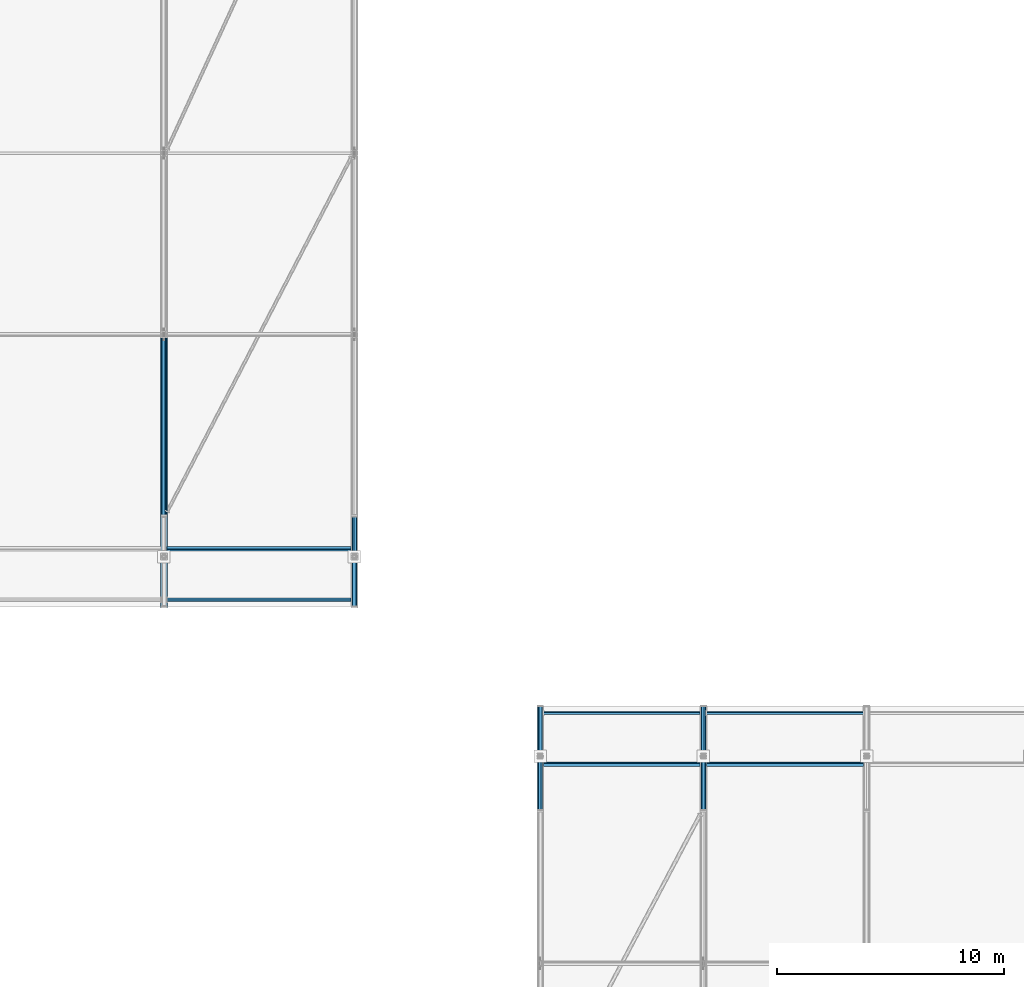
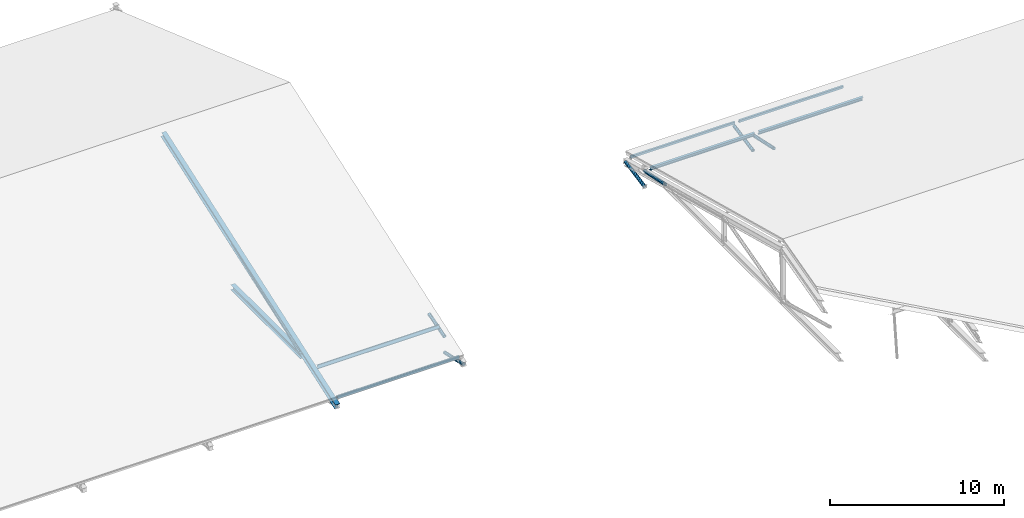
# One storey, part 6 of 57: 14 members, 1 beam.
"""IFC4 building model written with IfcOpenShell, lengths in metres."""

from ifc_helpers import new_model, si_unit, direction, frame, origin, origin_2d, place, context, subcontext, project, spatial, hollow_rectangle, hollow_circle, i_section, extrude, material, material_profile, profile_set, type_object, element, save


model = new_model("IFC4")

# Units and contexts
model_context = context("Model", 3, precision=1e-05, world=origin(), true_north=direction((0.0, 1.0)))
body_context = subcontext(model_context, "Body", "Model", "MODEL_VIEW")
ifc_project = project(units=[si_unit("LENGTHUNIT", "METRE"), si_unit("AREAUNIT", "SQUARE_METRE"), si_unit("VOLUMEUNIT", "CUBIC_METRE"), si_unit("PLANEANGLEUNIT", "RADIAN"), si_unit("MASSUNIT", "GRAM", prefix="KILO")], contexts=[model_context])

# Site, building, storey
site_placement = place(None, origin())
site = spatial("IfcSite", under=ifc_project, at=site_placement, CompositionType="ELEMENT")
building_placement = place(site_placement, origin())
building = spatial("IfcBuilding", under=site, at=building_placement, Name="Kelarvand Opera House", CompositionType="ELEMENT")
storey_placement = place(building_placement, frame((0.0, 0.0, 33.60009765625)))
storey = spatial("IfcBuildingStorey", under=building, at=storey_placement, Name="Roof", CompositionType="ELEMENT", Elevation=33.60009765625)

# Members
ifc_material = material(Name="Steel S355", Category="steel")
ifc_material_profile_1 = material_profile(ifc_material, hollow_circle(Radius=0.109619140625, WallThickness=0.010009765625, at=origin_2d()), Name="CHS 219.1x10.0", Category="steel")
ifc_profile_set_1 = profile_set([ifc_material_profile_1], Name="Steel S355")
member_type_1 = type_object("IfcMemberType", Name="Structural Brace CHS 219.1x10.0 BR-CHS219", PredefinedType="BRACE", material=ifc_profile_set_1)
member_1_placement = place(storey_placement, frame((59.199951171875, 78.39990234375, -1.10009765625), z_axis=(0.0, 0.981866297583, 0.189574717909), x_axis=(-1.0, 0.0, 0.0)))
element("IfcMember", 1, at=member_1_placement, inside=storey, type_object=member_type_1, Name="V2 Roof Truss 1 Eave Knee Brace N", PredefinedType="BRACE", context=body_context, shape_type="SweptSolid", body=[
    extrude(hollow_circle(Radius=0.109619140625, WallThickness=0.010009765625, at=origin_2d()), origin(), (0.0, 0.0, 1.0), 2.24072265625),
])
member_2_placement = place(storey_placement, frame((59.199951171875, 78.39990234375, 0.0), z_axis=(0.0, -0.977319710639, 0.21176917433), x_axis=(1.0, 0.0, 0.0)))
element("IfcMember", 2, at=member_2_placement, inside=storey, type_object=member_type_1, Name="V2 Roof Truss 1 Support Tie N", PredefinedType="BRACE", context=body_context, shape_type="SweptSolid", body=[
    extrude(hollow_circle(Radius=0.109619140625, WallThickness=0.010009765625, at=origin_2d()), origin(), (0.0, 0.0, 1.0), 2.45556640625),
])
member_3_placement = place(storey_placement, frame((66.39990234375, 78.39990234375, -1.10009765625), z_axis=(0.0, 0.981866297583, 0.189574717909), x_axis=(-1.0, 0.0, 0.0)))
element("IfcMember", 3, at=member_3_placement, inside=storey, type_object=member_type_1, Name="V2 Roof Truss 2 Eave Knee Brace N", PredefinedType="BRACE", context=body_context, shape_type="SweptSolid", body=[
    extrude(hollow_circle(Radius=0.109619140625, WallThickness=0.010009765625, at=origin_2d()), origin(), (0.0, 0.0, 1.0), 2.24072265625),
])
member_4_placement = place(storey_placement, frame((66.39990234375, 78.39990234375, 0.0), z_axis=(0.0, -0.977319710639, 0.21176917433), x_axis=(1.0, 0.0, 0.0)))
element("IfcMember", 4, at=member_4_placement, inside=storey, type_object=member_type_1, Name="V2 Roof Truss 2 Support Tie N", PredefinedType="BRACE", context=body_context, shape_type="SweptSolid", body=[
    extrude(hollow_circle(Radius=0.109619140625, WallThickness=0.010009765625, at=origin_2d()), origin(), (0.0, 0.0, 1.0), 2.45556640625),
])
member_5_placement = place(storey_placement, frame((42.60009765625, 89.0, -13.580078125), z_axis=(0.0, 0.933336796692, 0.3590019832), x_axis=(-1.0, 0.0, 0.0)))
element("IfcMember", 5, at=member_5_placement, inside=storey, type_object=member_type_1, Name="V3 Roof Truss 5 Web Diagonal 1", PredefinedType="BRACE", context=body_context, shape_type="SweptSolid", body=[
    extrude(hollow_circle(Radius=0.109619140625, WallThickness=0.010009765625, at=origin_2d()), origin(), (0.0, 0.0, 1.0), 8.5712890625),
])
member_6_placement = place(storey_placement, frame((51.0, 87.199951171875, -15.2001953125), z_axis=(0.0, -0.975388459832, 0.220493429439), x_axis=(1.0, 0.0, 0.0)))
element("IfcMember", 6, at=member_6_placement, inside=storey, type_object=member_type_1, Name="V3 Roof Truss 6 Eave Knee Brace S", PredefinedType="BRACE", context=body_context, shape_type="SweptSolid", body=[
    extrude(hollow_circle(Radius=0.109619140625, WallThickness=0.010009765625, at=origin_2d()), origin(), (0.0, 0.0, 1.0), 2.25537109375),
])
member_7_placement = place(storey_placement, frame((51.0, 87.199951171875, -14.10009765625), z_axis=(0.0, 0.960713410768, 0.277542325368), x_axis=(-1.0, 0.0, 0.0)))
element("IfcMember", 7, at=member_7_placement, inside=storey, type_object=member_type_1, Name="V3 Roof Truss 6 Support Tie S", PredefinedType="BRACE", context=body_context, shape_type="SweptSolid", body=[
    extrude(hollow_circle(Radius=0.109619140625, WallThickness=0.010009765625, at=origin_2d()), origin(), (0.0, 0.0, 1.0), 1.873779296875),
])
ifc_material_profile_2 = material_profile(ifc_material, i_section(OverallWidth=0.300048828125, OverallDepth=0.360107421875, WebThickness=0.012451171875, FlangeThickness=0.0224609375, at=origin_2d()), Name="HEB 360", Category="steel")
ifc_profile_set_2 = profile_set([ifc_material_profile_2], Name="Steel S355")
member_type_2 = type_object("IfcMemberType", Name="Structural Chord HEB 360 CH-HEB360", PredefinedType="CHORD", material=ifc_profile_set_2)
member_8_placement = place(storey_placement, frame((42.60009765625, 89.0, -13.580078125), z_axis=(0.0, 1.0, 0.0), x_axis=(-1.0, 0.0, 0.0)))
element("IfcMember", 8, at=member_8_placement, inside=storey, type_object=member_type_2, Name="V3 Roof Truss 5 Bottom Chord 1", PredefinedType="CHORD", context=body_context, shape_type="SweptSolid", body=[
    extrude(i_section(OverallWidth=0.300048828125, OverallDepth=0.360107421875, WebThickness=0.012451171875, FlangeThickness=0.0224609375, at=origin_2d()), origin(), (0.0, 0.0, 1.0), 8.0),
])
ifc_material_profile_3 = material_profile(ifc_material, i_section(OverallWidth=0.1201171875, OverallDepth=0.239990234375, WebThickness=0.006103515625, FlangeThickness=0.009765625, at=origin_2d()), Name="IPE 240", Category="steel")
ifc_profile_set_3 = profile_set([ifc_material_profile_3], Name="Steel S355")
member_type_3 = type_object("IfcMemberType", Name="Structural Purlin IPE 240 PR-IPE240", PredefinedType="PURLIN", material=ifc_profile_set_3)
member_9_placement = place(storey_placement, frame((42.739990234375, 87.550048828125, -13.534423828125), z_axis=(1.0, 0.0, 0.0), x_axis=(0.0, 0.943858622852, -0.330349663339)))
element("IfcMember", 9, at=member_9_placement, inside=storey, type_object=member_type_3, Name="V3 Roof Purlin 5.2", PredefinedType="PURLIN", context=body_context, shape_type="SweptSolid", body=[
    extrude(i_section(OverallWidth=0.1201171875, OverallDepth=0.239990234375, WebThickness=0.006103515625, FlangeThickness=0.009765625, at=origin_2d()), origin(), (0.0, 0.0, 1.0), 8.1201171875),
])
ifc_material_profile_4 = material_profile(ifc_material, i_section(OverallWidth=0.135009765625, OverallDepth=0.27001953125, WebThickness=0.006591796875, FlangeThickness=0.01025390625, at=origin_2d()), Name="IPE 270", Category="steel")
ifc_profile_set_4 = profile_set([ifc_material_profile_4], Name="Steel S355")
member_type_4 = type_object("IfcMemberType", Name="Structural Purlin IPE 270 PR-IPE270", PredefinedType="PURLIN", material=ifc_profile_set_4)
for number, where, z_axis, x_axis, name in (
    (10, (59.340087890625, 78.050048828125, 0.339111328125), (1.0, 0.0, 0.0), (0.0, 0.966600102017, 0.256289373133), "V2 Roof Purlin 1.6"),
    (11, (66.5400390625, 78.050048828125, 0.339111328125), (1.0, 0.0, 0.0), (0.0, 0.966600102017, 0.256289373133), "V2 Roof Purlin 2.6"),
):
    element("IfcMember", number, at=place(storey_placement, frame(where, z_axis=z_axis, x_axis=x_axis)), inside=storey, type_object=member_type_4, Name=name, PredefinedType="PURLIN", context=body_context, shape_type="SweptSolid", body=[
        extrude(i_section(OverallWidth=0.135009765625, OverallDepth=0.27001953125, WebThickness=0.006591796875, FlangeThickness=0.01025390625, at=origin_2d()), origin(), (0.0, 0.0, 1.0), 6.919921875),
    ])
ifc_material_profile_5 = material_profile(ifc_material, hollow_rectangle(XDim=0.10009765625, YDim=0.199951171875, WallThickness=0.008056640625, at=origin_2d()), Name="RHS 200x100x8.0", Category="steel")
ifc_profile_set_5 = profile_set([ifc_material_profile_5], Name="Steel S355")
member_type_5 = type_object("IfcMemberType", Name="Structural Purlin RHS 200x100x8.0 PR-RHS200E", PredefinedType="PURLIN", material=ifc_profile_set_5)
for number, where, z_axis, x_axis, name in (
    (12, (59.340087890625, 80.300048828125, -0.21923828125), (1.0, 0.0, 0.0), (0.0, 0.966600102017, 0.256289373133), "V2 Roof Purlin 1.7"),
    (13, (66.5400390625, 80.300048828125, -0.21923828125), (1.0, 0.0, 0.0), (0.0, 0.966600102017, 0.256289373133), "V2 Roof Purlin 2.7"),
):
    element("IfcMember", number, at=place(storey_placement, frame(where, z_axis=z_axis, x_axis=x_axis)), inside=storey, type_object=member_type_5, Name=name, PredefinedType="PURLIN", context=body_context, shape_type="SweptSolid", body=[
        extrude(hollow_rectangle(XDim=0.10009765625, YDim=0.199951171875, WallThickness=0.008056640625, at=origin_2d()), origin(), (0.0, 0.0, 1.0), 6.919921875),
    ])
member_10_placement = place(storey_placement, frame((42.739990234375, 85.300048828125, -14.2998046875), z_axis=(1.0, 0.0, 0.0), x_axis=(0.0, 0.943858622852, -0.330349663339)))
element("IfcMember", 14, at=member_10_placement, inside=storey, type_object=member_type_5, Name="V3 Roof Purlin 5.1", PredefinedType="PURLIN", context=body_context, shape_type="SweptSolid", body=[
    extrude(hollow_rectangle(XDim=0.10009765625, YDim=0.199951171875, WallThickness=0.008056640625, at=origin_2d()), origin(), (0.0, 0.0, 1.0), 8.1201171875),
])

# Beam
ifc_material_profile_6 = material_profile(ifc_material, i_section(OverallWidth=0.300048828125, OverallDepth=0.360107421875, WebThickness=0.012451171875, FlangeThickness=0.0224609375, at=origin_2d()), Name="HEB 360", Category="steel")
ifc_profile_set_6 = profile_set([ifc_material_profile_6], Name="Steel S355")
beam_type = type_object("IfcBeamType", Name="Structural Roof Truss HEB 360 RT-HEB360", PredefinedType="USERDEFINED", material=ifc_profile_set_6)
beam_placement = place(storey_placement, frame((42.60009765625, 85.0, -14.702880859375), z_axis=(0.0, 0.943858356366, 0.330350424728), x_axis=(-1.0, 0.0, 0.0)))
element("IfcBeam", 15, at=beam_placement, inside=storey, type_object=beam_type, Name="V3 Roof Truss 5 Top Chord Rafter 1", ObjectType="ROOF TRUSS", PredefinedType="USERDEFINED", context=body_context, shape_type="SweptSolid", body=[
    extrude(i_section(OverallWidth=0.300048828125, OverallDepth=0.360107421875, WebThickness=0.012451171875, FlangeThickness=0.0224609375, at=origin_2d()), origin(), (0.0, 0.0, 1.0), 21.189697265625),
])

save(model, "model.ifc")
